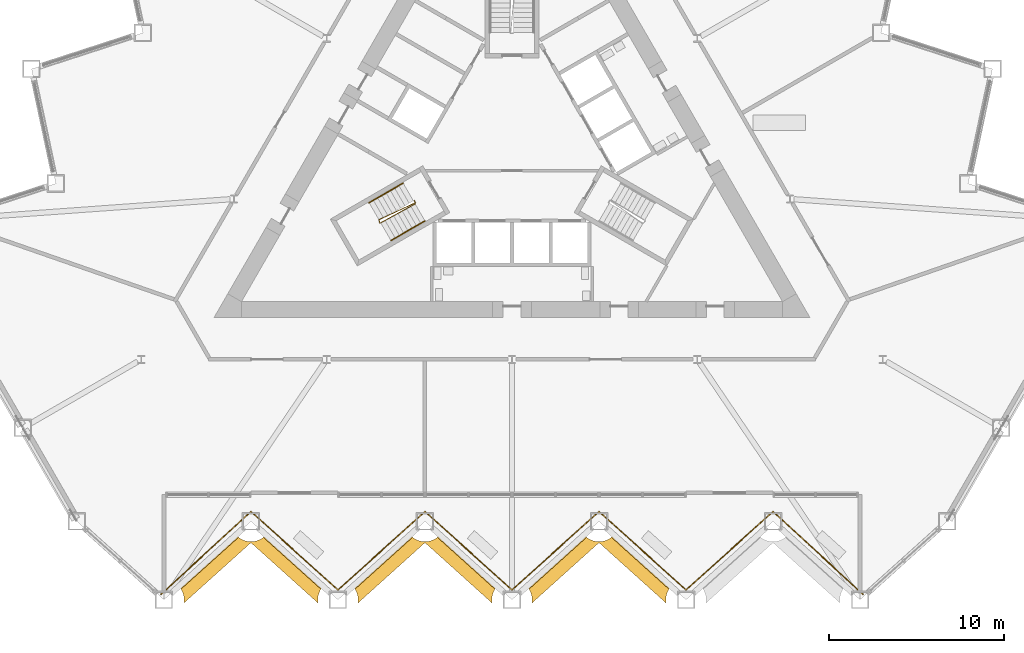
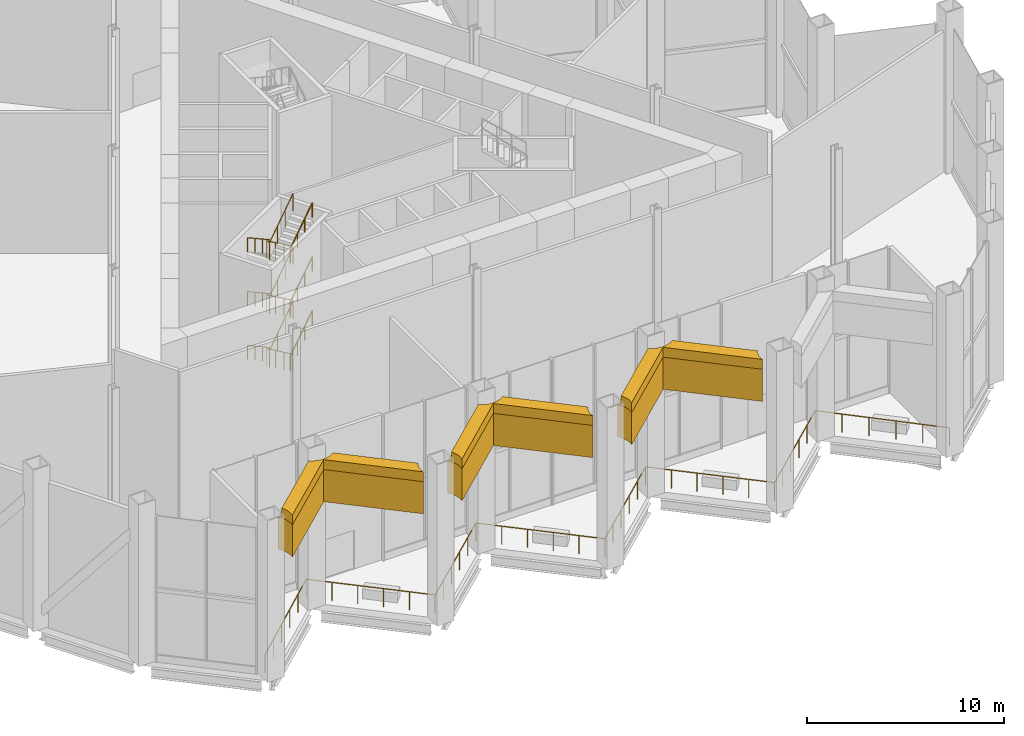
# One storey, part 14 of 17: 8 railings, 6 coverings.
"""IFC4 building model written with IfcOpenShell, lengths in metres."""

import ifcopenshell
import ifcopenshell.guid

model = None  # the IFC model being written
_history = None  # IfcOwnerHistory: only IFC2X3 demands one
_inside = {}  # id of a spatial element -> (the spatial element, [elements in it])
_under = {}  # id of a project, library or spatial element -> (it, [spatial elements below it])
_declared = {}  # id of a project -> (the project, [libraries it declares])
_typed = {}  # id of a type object -> (the type object, [elements of that type])
_made_of = {}  # id of a material, layer set ... -> (it, [elements and type objects made of it])


def new_model(schema):
    """Start an empty IFC model of exactly this schema.

    Asked for "IFC4X3", IfcOpenShell would pick the latest addendum, in which some entities
    have other attributes; the version numbers below select the first issue.
    IFC2X3 requires an IfcOwnerHistory on every rooted entity: one is made here for all.
    """
    global model, _history
    if schema == "IFC4X3":
        model = ifcopenshell.file(schema_version=(4, 3, 0, 0))
    else:
        model = ifcopenshell.file(schema=schema)
    _inside.clear()
    _under.clear()
    _declared.clear()
    _typed.clear()
    _made_of.clear()
    _history = None
    if model.schema == "IFC2X3":
        org = make("IfcOrganization", Name="unknown")
        user = make(
            "IfcPersonAndOrganization",
            ThePerson=make("IfcPerson", FamilyName="unknown"),
            TheOrganization=org,
        )
        app = make(
            "IfcApplication",
            ApplicationDeveloper=org,
            Version="unknown",
            ApplicationFullName="unknown",
            ApplicationIdentifier="unknown",
        )
        _history = make(
            "IfcOwnerHistory",
            OwningUser=user,
            OwningApplication=app,
            ChangeAction="ADDED",
            CreationDate=0,
        )
    return model


def make(cls, **values):
    """One entity of the class cls with the attributes given. An attribute that is None is left unset."""
    return model.create_entity(
        cls, **{name: value for name, value in values.items() if value is not None}
    )


def rooted(cls, **values):
    """An entity with a GlobalId (a new one), such as an element, a storey or a relation."""
    return make(cls, GlobalId=ifcopenshell.guid.new(), OwnerHistory=_history, **values)


def si_unit(unit_type, name, prefix=None):
    """IfcSIUnit, for example si_unit("LENGTHUNIT", "METRE", prefix="MILLI")."""
    return make("IfcSIUnit", UnitType=unit_type, Prefix=prefix, Name=name)


def assignment(units):
    """IfcUnitAssignment: the units of a project."""
    return None if units is None else make("IfcUnitAssignment", Units=units)


def point(xyz):
    """IfcCartesianPoint."""
    return None if xyz is None else make("IfcCartesianPoint", Coordinates=xyz)


def direction(xyz):
    """IfcDirection."""
    return None if xyz is None else make("IfcDirection", DirectionRatios=xyz)


def frame(location, z_axis=None, x_axis=None):
    """IfcAxis2Placement3D, a coordinate frame: its origin and axes. An axis left out is left unset."""
    return make(
        "IfcAxis2Placement3D",
        Location=point(location),
        Axis=direction(z_axis),
        RefDirection=direction(x_axis),
    )


def frame_2d(location, x_axis=None):
    """IfcAxis2Placement2D, a coordinate frame in the plane: its origin and x axis."""
    return make(
        "IfcAxis2Placement2D", Location=point(location), RefDirection=direction(x_axis)
    )


def origin():
    """The frame at (0, 0, 0) with its axes left unset."""
    return frame((0.0, 0.0, 0.0))


def origin_2d():
    """The frame at (0, 0) in the plane with its x axis left unset."""
    return frame_2d((0.0, 0.0))


def place(relative_to, where):
    """IfcLocalPlacement: puts the frame where relative to a parent placement (None: the world)."""
    return make(
        "IfcLocalPlacement", PlacementRelTo=relative_to, RelativePlacement=where
    )


def context(
    kind, dimensions, precision=None, world=None, true_north=None, identifier=None
):
    """IfcGeometricRepresentationContext, for example the 3D "Model" context."""
    return make(
        "IfcGeometricRepresentationContext",
        ContextIdentifier=identifier,
        ContextType=kind,
        CoordinateSpaceDimension=dimensions,
        Precision=precision,
        WorldCoordinateSystem=world,
        TrueNorth=true_north,
    )


def subcontext(parent, identifier, kind, view, scale=None):
    """IfcGeometricRepresentationSubContext, for example "Body" below "Model"."""
    return make(
        "IfcGeometricRepresentationSubContext",
        ContextIdentifier=identifier,
        ContextType=kind,
        ParentContext=parent,
        TargetScale=scale,
        TargetView=view,
    )


def project(units=None, contexts=None):
    """IfcProject with its units and contexts."""
    return rooted(
        "IfcProject",
        Name="project",
        RepresentationContexts=contexts,
        UnitsInContext=assignment(units),
    )


def spatial(cls, under=None, at=None, **own):
    """A site, building, storey or space (cls), placed at a placement, below another one or the project."""
    s = rooted(cls, ObjectPlacement=at, **own)
    if under is not None:
        _under.setdefault(under.id(), (under, []))[1].append(s)
    return s


def polyline(points):
    """IfcPolyline through the points."""
    return make("IfcPolyline", Points=[point(p) for p in points])


def profile(cls, at=None, kind="AREA", **sizes):
    """A parametric profile (cls). Its sizes go by their IFC names, for example OverallWidth=200.0."""
    return make(cls, ProfileType=kind, Position=at, **sizes)


def circle(**sizes):
    """IfcCircleProfileDef."""
    return profile("IfcCircleProfileDef", **sizes)


def outline(outer, holes=None, kind="AREA"):
    """IfcArbitraryClosedProfileDef: a profile drawn as a closed curve; with holes, ...WithVoids."""
    if holes is None:
        return make("IfcArbitraryClosedProfileDef", ProfileType=kind, OuterCurve=outer)
    return make(
        "IfcArbitraryProfileDefWithVoids",
        ProfileType=kind,
        OuterCurve=outer,
        InnerCurves=holes,
    )


def extrude(swept, where, along, depth):
    """IfcExtrudedAreaSolid: the profile swept, set in the frame where, extruded along a direction by depth."""
    return make(
        "IfcExtrudedAreaSolid",
        SweptArea=swept,
        Position=where,
        ExtrudedDirection=direction(along),
        Depth=depth,
    )


def shape(context_of_items, identifier, shape_type, items):
    """IfcShapeRepresentation: the items that make up one representation, for example the "Body"."""
    return make(
        "IfcShapeRepresentation",
        ContextOfItems=context_of_items,
        RepresentationIdentifier=identifier,
        RepresentationType=shape_type,
        Items=items,
    )


def material(Name=None, Category=None):
    """IfcMaterial."""
    return make("IfcMaterial", Name=Name, Category=Category)


def layer(
    of_material, thickness, ventilated=None, Name=None, Category=None, Priority=None
):
    """IfcMaterialLayer: one layer of a wall or slab, of a material (None: an air gap)."""
    return make(
        "IfcMaterialLayer",
        Material=of_material,
        LayerThickness=thickness,
        IsVentilated=ventilated,
        Name=Name,
        Category=Category,
        Priority=Priority,
    )


def layer_set(layers, Name=None):
    """IfcMaterialLayerSet."""
    return make("IfcMaterialLayerSet", MaterialLayers=layers, LayerSetName=Name)


def made_of(thing, what):
    """Note that an element or type object is made of a material, layer set ...; save() writes the relation."""
    if what is not None:
        _made_of.setdefault(what.id(), (what, []))[1].append(thing)
    return thing


def type_object(cls, material=None, **own):
    """A type object (cls), such as IfcWallType, which elements share."""
    return made_of(rooted(cls, **own), material)


def element(
    cls,
    number,
    at=None,
    inside=None,
    cuts=None,
    type_object=None,
    material=None,
    context=None,
    identifier="Body",
    shape_type=None,
    held_by="IfcProductDefinitionShape",
    body=None,
    shapes=None,
    **own,
):
    """One element of the class cls, such as IfcWall. Its Tag is "e" and its number.

    at: its placement. inside: the storey or other place that contains it. cuts: it is an
    opening in that element (IfcRelVoidsElement). A single representation is given by context,
    identifier, shape_type and body (its items); several are given by shapes. held_by: the class
    of the entity that holds the representations. save() writes the other relations.
    """
    e = rooted(cls, Tag="e%d" % number, ObjectPlacement=at, **own)
    if body is not None:
        shapes = [shape(context, identifier, shape_type, body)]
    if shapes is not None:
        e.Representation = make(held_by, Representations=shapes)
    if inside is not None:
        _inside.setdefault(inside.id(), (inside, []))[1].append(e)
    if cuts is not None:
        rooted(
            "IfcRelVoidsElement", RelatingBuildingElement=cuts, RelatedOpeningElement=e
        )
    if type_object is not None:
        _typed.setdefault(type_object.id(), (type_object, []))[1].append(e)
    return made_of(e, material)


def aggregate(whole, parts):
    """IfcRelAggregates: a whole, such as a stair, and the parts it consists of."""
    return rooted("IfcRelAggregates", RelatingObject=whole, RelatedObjects=parts)


def save(model, path):
    """Write the relations noted so far, then the file.

    IfcRelAggregates (storeys below a building ...), IfcRelContainedInSpatialStructure (elements
    in a storey), IfcRelDefinesByType, IfcRelAssociatesMaterial and IfcRelDeclares: one each for
    every whole, place, type object, material and project.
    """
    for whole, parts in _under.values():
        aggregate(whole, parts)
    for where, things in _inside.values():
        rooted(
            "IfcRelContainedInSpatialStructure",
            RelatedElements=things,
            RelatingStructure=where,
        )
    for kind, things in _typed.values():
        rooted("IfcRelDefinesByType", RelatedObjects=things, RelatingType=kind)
    for what, things in _made_of.values():
        rooted("IfcRelAssociatesMaterial", RelatedObjects=things, RelatingMaterial=what)
    for by, libraries in _declared.values():
        rooted("IfcRelDeclares", RelatingContext=by, RelatedDefinitions=libraries)
    model.write(path)


model = new_model("IFC4")

# Units and contexts
model_context = context("Model", 3, precision=1e-05, world=origin(), true_north=direction((0.0, 1.0)))
body_context = subcontext(model_context, "Body", "Model", "MODEL_VIEW")
ifc_project = project(units=[si_unit("LENGTHUNIT", "METRE"), si_unit("AREAUNIT", "SQUARE_METRE"), si_unit("VOLUMEUNIT", "CUBIC_METRE"), si_unit("PLANEANGLEUNIT", "RADIAN"), si_unit("MASSUNIT", "GRAM", prefix="KILO")], contexts=[model_context])

# Site, building, storey
site_placement = place(None, origin())
site = spatial("IfcSite", under=ifc_project, at=site_placement, CompositionType="ELEMENT")
building_placement = place(site_placement, origin())
building = spatial("IfcBuilding", under=site, at=building_placement, Name="Cormorant Prow Tower", CompositionType="ELEMENT")
storey_placement = place(building_placement, frame((0.0, 0.0, 84.60009765625)))
storey = spatial("IfcBuildingStorey", under=building, at=storey_placement, Name="L18", CompositionType="ELEMENT", Elevation=84.60009765625)

# Railings
ifc_material_1 = material(Name="Stainless steel", Category="steel")
railing_type_1 = type_object("IfcRailingType", Name="Stair guard 1100", PredefinedType="GUARDRAIL", material=ifc_material_1)
railing_1_placement = place(storey_placement, frame((-5.585205078125, -3.137939453125, 0.0)))
element("IfcRailing", 1, at=railing_1_placement, inside=storey, type_object=railing_type_1, Name="L18 ST1 stair guard 1", PredefinedType="GUARDRAIL", context=body_context, shape_type="SweptSolid", body=[
    extrude(circle(Radius=0.02392578125, at=origin_2d()), frame((0.0, 0.0, 1.076171875), z_axis=(0.501036270542, -0.865426285481, 0.0), x_axis=(0.865426285481, 0.501036270542, 0.0)), (0.0, 0.0, 1.0), 0.150146484375),
    extrude(circle(Radius=0.02392578125, at=origin_2d()), frame((0.0751953125, -0.1298828125, 1.076171875), z_axis=(-0.733711829474, -0.342307136193, 0.586935069494), x_axis=(0.422792438952, -0.906226546491, 0.0)), (0.0, 0.0, 1.0), 2.83935546875),
    extrude(circle(Radius=0.02392578125, at=origin_2d()), frame((-2.008056640625, -1.101806640625, 2.74267578125), z_axis=(0.275034262293, -0.961434425515, 0.0), x_axis=(0.961434425515, 0.275034262293, 0.0)), (0.0, 0.0, 1.0), 0.2060546875),
    extrude(circle(Radius=0.02392578125, at=origin_2d()), frame((-1.951416015625, -1.2998046875, 2.74267578125), z_axis=(0.708945260141, 0.388859836343, 0.588374579502), x_axis=(-0.480911908544, 0.87676891837, 0.0)), (0.0, 0.0, 1.0), 2.832763671875),
    extrude(circle(Radius=0.02392578125, at=origin_2d()), frame((0.056884765625, -0.1982421875, 4.4091796875), z_axis=(0.258736085224, 0.965948051503, 0.0), x_axis=(-0.965948051503, 0.258736085224, 0.0)), (0.0, 0.0, 1.0), 0.07080078125),
    extrude(circle(Radius=0.02392578125, at=origin_2d()), frame((0.0751953125, -0.1298828125, 4.4091796875), z_axis=(-0.733674800789, -0.342289860769, 0.586991429156), x_axis=(0.422792438952, -0.906226546491, 0.0)), (0.0, 0.0, 1.0), 2.83935546875),
    extrude(circle(Radius=0.02392578125, at=origin_2d()), frame((-2.008056640625, -1.101806640625, 6.076171875), z_axis=(0.275034262293, -0.961434425515, 0.0), x_axis=(0.961434425515, 0.275034262293, 0.0)), (0.0, 0.0, 1.0), 0.2060546875),
    extrude(circle(Radius=0.02392578125, at=origin_2d()), frame((-1.951416015625, -1.2998046875, 6.076171875), z_axis=(0.708981209556, 0.388879554767, 0.588318227137), x_axis=(-0.480911908544, 0.87676891837, 0.0)), (0.0, 0.0, 1.0), 2.832763671875),
    extrude(circle(Radius=0.02392578125, at=origin_2d()), frame((0.056884765625, -0.1982421875, 7.74267578125), z_axis=(0.258736085224, 0.965948051503, 0.0), x_axis=(-0.965948051503, 0.258736085224, 0.0)), (0.0, 0.0, 1.0), 0.07080078125),
    extrude(circle(Radius=0.02392578125, at=origin_2d()), frame((0.0751953125, -0.1298828125, 7.74267578125), z_axis=(-0.733674800789, -0.342289860769, 0.586991429156), x_axis=(0.422792438952, -0.906226546491, 0.0)), (0.0, 0.0, 1.0), 2.83935546875),
    extrude(circle(Radius=0.02392578125, at=origin_2d()), frame((-2.008056640625, -1.101806640625, 9.4091796875), z_axis=(0.275034262293, -0.961434425515, 0.0), x_axis=(0.961434425515, 0.275034262293, 0.0)), (0.0, 0.0, 1.0), 0.2060546875),
    extrude(circle(Radius=0.02392578125, at=origin_2d()), frame((-1.951416015625, -1.2998046875, 9.4091796875), z_axis=(0.708945260141, 0.388859836343, 0.588374579502), x_axis=(-0.480911908544, 0.87676891837, 0.0)), (0.0, 0.0, 1.0), 2.832763671875),
    extrude(circle(Radius=0.02099609375, at=origin_2d()), origin(), (0.0, 0.0, 1.0), 1.052001953125),
    extrude(circle(Radius=0.02099609375, at=origin_2d()), frame((0.0751953125, -0.1298828125, 0.0)), (0.0, 0.0, 1.0), 1.052001953125),
    extrude(circle(Radius=0.02099609375, at=origin_2d()), frame((-0.619140625, -0.453857421875, 0.555419921875)), (0.0, 0.0, 1.0), 1.052001953125),
    extrude(circle(Radius=0.02099609375, at=origin_2d()), frame((-1.313720703125, -0.77783203125, 1.111083984375)), (0.0, 0.0, 1.0), 1.052001953125),
    extrude(circle(Radius=0.02099609375, at=origin_2d()), frame((-2.008056640625, -1.101806640625, 1.66650390625)), (0.0, 0.0, 1.0), 1.052001953125),
    extrude(circle(Radius=0.02099609375, at=origin_2d()), frame((-1.951416015625, -1.2998046875, 1.66650390625)), (0.0, 0.0, 1.0), 1.052001953125),
    extrude(circle(Radius=0.02099609375, at=origin_2d()), frame((-1.281982421875, -0.9326171875, 2.22216796875)), (0.0, 0.0, 1.0), 1.052001953125),
    extrude(circle(Radius=0.02099609375, at=origin_2d()), frame((-0.612548828125, -0.5654296875, 2.777587890625)), (0.0, 0.0, 1.0), 1.052001953125),
    extrude(circle(Radius=0.02099609375, at=origin_2d()), frame((0.056884765625, -0.1982421875, 3.333251953125)), (0.0, 0.0, 1.0), 1.052001953125),
    extrude(circle(Radius=0.02099609375, at=origin_2d()), frame((0.0751953125, -0.1298828125, 3.333251953125)), (0.0, 0.0, 1.0), 1.052001953125),
    extrude(circle(Radius=0.02099609375, at=origin_2d()), frame((-0.619140625, -0.453857421875, 3.888916015625)), (0.0, 0.0, 1.0), 1.052001953125),
    extrude(circle(Radius=0.02099609375, at=origin_2d()), frame((-1.313720703125, -0.77783203125, 4.4443359375)), (0.0, 0.0, 1.0), 1.052001953125),
    extrude(circle(Radius=0.02099609375, at=origin_2d()), frame((-2.008056640625, -1.101806640625, 5.0)), (0.0, 0.0, 1.0), 1.052001953125),
    extrude(circle(Radius=0.02099609375, at=origin_2d()), frame((-1.951416015625, -1.2998046875, 5.0)), (0.0, 0.0, 1.0), 1.052001953125),
    extrude(circle(Radius=0.02099609375, at=origin_2d()), frame((-1.281982421875, -0.9326171875, 5.555419921875)), (0.0, 0.0, 1.0), 1.052001953125),
    extrude(circle(Radius=0.02099609375, at=origin_2d()), frame((-0.612548828125, -0.5654296875, 6.111083984375)), (0.0, 0.0, 1.0), 1.052001953125),
    extrude(circle(Radius=0.02099609375, at=origin_2d()), frame((0.056884765625, -0.1982421875, 6.66650390625)), (0.0, 0.0, 1.0), 1.052001953125),
    extrude(circle(Radius=0.02099609375, at=origin_2d()), frame((0.0751953125, -0.1298828125, 6.66650390625)), (0.0, 0.0, 1.0), 1.052001953125),
    extrude(circle(Radius=0.02099609375, at=origin_2d()), frame((-0.619140625, -0.453857421875, 7.22216796875)), (0.0, 0.0, 1.0), 1.052001953125),
    extrude(circle(Radius=0.02099609375, at=origin_2d()), frame((-1.313720703125, -0.77783203125, 7.777587890625)), (0.0, 0.0, 1.0), 1.052001953125),
    extrude(circle(Radius=0.02099609375, at=origin_2d()), frame((-2.008056640625, -1.101806640625, 8.333251953125)), (0.0, 0.0, 1.0), 1.052001953125),
    extrude(circle(Radius=0.02099609375, at=origin_2d()), frame((-1.951416015625, -1.2998046875, 8.333251953125)), (0.0, 0.0, 1.0), 1.052001953125),
    extrude(circle(Radius=0.02099609375, at=origin_2d()), frame((-1.281982421875, -0.9326171875, 8.888916015625)), (0.0, 0.0, 1.0), 1.052001953125),
    extrude(circle(Radius=0.02099609375, at=origin_2d()), frame((-0.612548828125, -0.5654296875, 9.4443359375)), (0.0, 0.0, 1.0), 1.052001953125),
    extrude(circle(Radius=0.02099609375, at=origin_2d()), frame((0.056884765625, -0.1982421875, 10.0)), (0.0, 0.0, 1.0), 1.052001953125),
])
ifc_material_2 = material(Name="Stainless steel", Category="steel")
railing_type_2 = type_object("IfcRailingType", Name="Stair handrail 900", PredefinedType="HANDRAIL", material=ifc_material_2)
railing_2_placement = place(storey_placement, frame((-6.212890625, -2.150634765625, 0.18505859375)))
element("IfcRailing", 2, at=railing_2_placement, inside=storey, type_object=railing_type_2, Name="L18 ST1 stair handrail 1", PredefinedType="HANDRAIL", context=body_context, shape_type="SweptSolid", body=[
    extrude(circle(Radius=0.02392578125, at=origin_2d()), frame((0.0, 0.0, 0.8759765625), z_axis=(-0.722363311002, -0.416999812178, 0.551636115172), x_axis=(0.49994888933, -0.866054910533, 0.0)), (0.0, 0.0, 1.0), 2.685546875),
    extrude(circle(Radius=0.02099609375, at=origin_2d()), origin(), (0.0, 0.0, 1.0), 0.851806640625),
    extrude(circle(Radius=0.02099609375, at=origin_2d()), frame((-0.646728515625, -0.373291015625, 0.493896484375)), (0.0, 0.0, 1.0), 0.851806640625),
    extrude(circle(Radius=0.02099609375, at=origin_2d()), frame((-1.293212890625, -0.74658203125, 0.987548828125)), (0.0, 0.0, 1.0), 0.851806640625),
    extrude(circle(Radius=0.02099609375, at=origin_2d()), frame((-1.93994140625, -1.119873046875, 1.4814453125)), (0.0, 0.0, 1.0), 0.851806640625),
])
railing_3_placement = place(storey_placement, frame((-6.90869140625, -5.42529296875, 1.851806640625)))
element("IfcRailing", 3, at=railing_3_placement, inside=storey, type_object=railing_type_2, Name="L18 ST1 stair handrail 2", PredefinedType="HANDRAIL", context=body_context, shape_type="SweptSolid", body=[
    extrude(circle(Radius=0.02392578125, at=origin_2d()), frame((0.0, 0.0, 0.8759765625), z_axis=(0.72229244732, 0.417102296828, 0.551651424838), x_axis=(-0.500077830873, 0.865980463445, 0.0)), (0.0, 0.0, 1.0), 2.685546875),
    extrude(circle(Radius=0.02099609375, at=origin_2d()), origin(), (0.0, 0.0, 1.0), 0.851806640625),
    extrude(circle(Radius=0.02099609375, at=origin_2d()), frame((0.646484375, 0.373291015625, 0.493896484375)), (0.0, 0.0, 1.0), 0.851806640625),
    extrude(circle(Radius=0.02099609375, at=origin_2d()), frame((1.293212890625, 0.746826171875, 0.987548828125)), (0.0, 0.0, 1.0), 0.851806640625),
    extrude(circle(Radius=0.02099609375, at=origin_2d()), frame((1.939697265625, 1.1201171875, 1.4814453125)), (0.0, 0.0, 1.0), 0.851806640625),
])
railing_4_placement = place(storey_placement, frame((-6.212890625, -2.150634765625, 3.518310546875)))
element("IfcRailing", 4, at=railing_4_placement, inside=storey, type_object=railing_type_2, Name="L18 ST1 stair handrail 3", PredefinedType="HANDRAIL", context=body_context, shape_type="SweptSolid", body=[
    extrude(circle(Radius=0.02392578125, at=origin_2d()), frame((0.0, 0.0, 0.8759765625), z_axis=(-0.72232708515, -0.416978900023, 0.551699355622), x_axis=(0.49994888933, -0.866054910533, 0.0)), (0.0, 0.0, 1.0), 2.685791015625),
    extrude(circle(Radius=0.02099609375, at=origin_2d()), origin(), (0.0, 0.0, 1.0), 0.851806640625),
    extrude(circle(Radius=0.02099609375, at=origin_2d()), frame((-0.646728515625, -0.373291015625, 0.493896484375)), (0.0, 0.0, 1.0), 0.851806640625),
    extrude(circle(Radius=0.02099609375, at=origin_2d()), frame((-1.293212890625, -0.74658203125, 0.98779296875)), (0.0, 0.0, 1.0), 0.851806640625),
    extrude(circle(Radius=0.02099609375, at=origin_2d()), frame((-1.93994140625, -1.119873046875, 1.481689453125)), (0.0, 0.0, 1.0), 0.851806640625),
])
railing_5_placement = place(storey_placement, frame((-6.90869140625, -5.42529296875, 5.18505859375)))
element("IfcRailing", 5, at=railing_5_placement, inside=storey, type_object=railing_type_2, Name="L18 ST1 stair handrail 4", PredefinedType="HANDRAIL", context=body_context, shape_type="SweptSolid", body=[
    extrude(circle(Radius=0.02392578125, at=origin_2d()), frame((0.0, 0.0, 0.8759765625), z_axis=(0.72229244732, 0.417102296828, 0.551651424838), x_axis=(-0.500077830873, 0.865980463445, 0.0)), (0.0, 0.0, 1.0), 2.685546875),
    extrude(circle(Radius=0.02099609375, at=origin_2d()), origin(), (0.0, 0.0, 1.0), 0.851806640625),
    extrude(circle(Radius=0.02099609375, at=origin_2d()), frame((0.646484375, 0.373291015625, 0.493896484375)), (0.0, 0.0, 1.0), 0.851806640625),
    extrude(circle(Radius=0.02099609375, at=origin_2d()), frame((1.293212890625, 0.746826171875, 0.987548828125)), (0.0, 0.0, 1.0), 0.851806640625),
    extrude(circle(Radius=0.02099609375, at=origin_2d()), frame((1.939697265625, 1.1201171875, 1.4814453125)), (0.0, 0.0, 1.0), 0.851806640625),
])
railing_6_placement = place(storey_placement, frame((-6.212890625, -2.150634765625, 6.851806640625)))
element("IfcRailing", 6, at=railing_6_placement, inside=storey, type_object=railing_type_2, Name="L18 ST1 stair handrail 5", PredefinedType="HANDRAIL", context=body_context, shape_type="SweptSolid", body=[
    extrude(circle(Radius=0.02392578125, at=origin_2d()), frame((0.0, 0.0, 0.8759765625), z_axis=(-0.722363311002, -0.416999812178, 0.551636115172), x_axis=(0.49994888933, -0.866054910533, 0.0)), (0.0, 0.0, 1.0), 2.685546875),
    extrude(circle(Radius=0.02099609375, at=origin_2d()), origin(), (0.0, 0.0, 1.0), 0.851806640625),
    extrude(circle(Radius=0.02099609375, at=origin_2d()), frame((-0.646728515625, -0.373291015625, 0.493896484375)), (0.0, 0.0, 1.0), 0.851806640625),
    extrude(circle(Radius=0.02099609375, at=origin_2d()), frame((-1.293212890625, -0.74658203125, 0.987548828125)), (0.0, 0.0, 1.0), 0.851806640625),
    extrude(circle(Radius=0.02099609375, at=origin_2d()), frame((-1.93994140625, -1.119873046875, 1.4814453125)), (0.0, 0.0, 1.0), 0.851806640625),
])
railing_7_placement = place(storey_placement, frame((-6.90869140625, -5.42529296875, 8.518310546875)))
element("IfcRailing", 7, at=railing_7_placement, inside=storey, type_object=railing_type_2, Name="L18 ST1 stair handrail 6", PredefinedType="HANDRAIL", context=body_context, shape_type="SweptSolid", body=[
    extrude(circle(Radius=0.02392578125, at=origin_2d()), frame((0.0, 0.0, 0.8759765625), z_axis=(0.722256223011, 0.417081378373, 0.551714665507), x_axis=(-0.500077830873, 0.865980463445, 0.0)), (0.0, 0.0, 1.0), 2.685546875),
    extrude(circle(Radius=0.02099609375, at=origin_2d()), origin(), (0.0, 0.0, 1.0), 0.851806640625),
    extrude(circle(Radius=0.02099609375, at=origin_2d()), frame((0.646484375, 0.373291015625, 0.493896484375)), (0.0, 0.0, 1.0), 0.851806640625),
    extrude(circle(Radius=0.02099609375, at=origin_2d()), frame((1.293212890625, 0.746826171875, 0.98779296875)), (0.0, 0.0, 1.0), 0.851806640625),
    extrude(circle(Radius=0.02099609375, at=origin_2d()), frame((1.939697265625, 1.1201171875, 1.481689453125)), (0.0, 0.0, 1.0), 0.851806640625),
])
ifc_material_3 = material(Name="Aluminium 6063-T6", Category="aluminium")
railing_type_3 = type_object("IfcRailingType", Name="Terrace guard 1150", PredefinedType="GUARDRAIL", material=ifc_material_3)
railing_8_placement = place(storey_placement, frame((-20.035400390625, -25.619384765625, 0.0)))
element("IfcRailing", 8, at=railing_8_placement, inside=storey, type_object=railing_type_3, Name="Terrace guard S", PredefinedType="GUARDRAIL", context=body_context, shape_type="SweptSolid", body=[
    extrude(circle(Radius=0.02392578125, at=origin_2d()), frame((0.0, 0.0, 1.1259765625), z_axis=(0.736046731686, 0.676930726717, 0.0), x_axis=(-0.676930726717, 0.736046731686, 0.0)), (0.0, 0.0, 1.0), 6.9794921875),
    extrude(circle(Radius=0.02392578125, at=origin_2d()), frame((5.13720703125, 4.724609375, 1.1259765625), z_axis=(0.743146981279, -0.66912821209, 0.0), x_axis=(0.66912821209, 0.743146981279, 0.0)), (0.0, 0.0, 1.0), 6.682373046875),
    extrude(circle(Radius=0.02392578125, at=origin_2d()), frame((10.103271484375, 0.253173828125, 1.1259765625), z_axis=(0.743146981279, 0.66912821209, 0.0), x_axis=(-0.66912821209, 0.743146981279, 0.0)), (0.0, 0.0, 1.0), 6.682373046875),
    extrude(circle(Radius=0.02392578125, at=origin_2d()), frame((15.0693359375, 4.724609375, 1.1259765625), z_axis=(0.743146981279, -0.66912821209, 0.0), x_axis=(0.66912821209, 0.743146981279, 0.0)), (0.0, 0.0, 1.0), 6.682373046875),
    extrude(circle(Radius=0.02392578125, at=origin_2d()), frame((20.035400390625, 0.253173828125, 1.1259765625), z_axis=(0.743146981279, 0.66912821209, 0.0), x_axis=(-0.66912821209, 0.743146981279, 0.0)), (0.0, 0.0, 1.0), 6.682373046875),
    extrude(circle(Radius=0.02392578125, at=origin_2d()), frame((25.00146484375, 4.724609375, 1.1259765625), z_axis=(0.743146981279, -0.66912821209, 0.0), x_axis=(0.66912821209, 0.743146981279, 0.0)), (0.0, 0.0, 1.0), 6.682373046875),
    extrude(circle(Radius=0.02392578125, at=origin_2d()), frame((29.967529296875, 0.253173828125, 1.1259765625), z_axis=(0.743146981279, 0.66912821209, 0.0), x_axis=(-0.66912821209, 0.743146981279, 0.0)), (0.0, 0.0, 1.0), 6.682373046875),
    extrude(circle(Radius=0.02392578125, at=origin_2d()), frame((34.93359375, 4.724609375, 1.1259765625), z_axis=(0.736046731686, -0.676930726717, 0.0), x_axis=(0.676930726717, 0.736046731686, 0.0)), (0.0, 0.0, 1.0), 6.9794921875),
    extrude(circle(Radius=0.02099609375, at=origin_2d()), origin(), (0.0, 0.0, 1.0), 1.101806640625),
    extrude(circle(Radius=0.02099609375, at=origin_2d()), frame((1.02734375, 0.94482421875, 0.0)), (0.0, 0.0, 1.0), 1.101806640625),
    extrude(circle(Radius=0.02099609375, at=origin_2d()), frame((2.054931640625, 1.889892578125, 0.0)), (0.0, 0.0, 1.0), 1.101806640625),
    extrude(circle(Radius=0.02099609375, at=origin_2d()), frame((3.082275390625, 2.834716796875, 0.0)), (0.0, 0.0, 1.0), 1.101806640625),
    extrude(circle(Radius=0.02099609375, at=origin_2d()), frame((4.10986328125, 3.77978515625, 0.0)), (0.0, 0.0, 1.0), 1.101806640625),
    extrude(circle(Radius=0.02099609375, at=origin_2d()), frame((5.13720703125, 4.724609375, 0.0)), (0.0, 0.0, 1.0), 1.101806640625),
    extrude(circle(Radius=0.02099609375, at=origin_2d()), frame((6.13037109375, 3.830322265625, 0.0)), (0.0, 0.0, 1.0), 1.101806640625),
    extrude(circle(Radius=0.02099609375, at=origin_2d()), frame((7.12353515625, 2.93603515625, 0.0)), (0.0, 0.0, 1.0), 1.101806640625),
    extrude(circle(Radius=0.02099609375, at=origin_2d()), frame((8.116943359375, 2.041748046875, 0.0)), (0.0, 0.0, 1.0), 1.101806640625),
    extrude(circle(Radius=0.02099609375, at=origin_2d()), frame((9.110107421875, 1.1474609375, 0.0)), (0.0, 0.0, 1.0), 1.101806640625),
    extrude(circle(Radius=0.02099609375, at=origin_2d()), frame((10.103271484375, 0.253173828125, 0.0)), (0.0, 0.0, 1.0), 1.101806640625),
    extrude(circle(Radius=0.02099609375, at=origin_2d()), frame((11.096435546875, 1.1474609375, 0.0)), (0.0, 0.0, 1.0), 1.101806640625),
    extrude(circle(Radius=0.02099609375, at=origin_2d()), frame((12.089599609375, 2.041748046875, 0.0)), (0.0, 0.0, 1.0), 1.101806640625),
    extrude(circle(Radius=0.02099609375, at=origin_2d()), frame((13.0830078125, 2.93603515625, 0.0)), (0.0, 0.0, 1.0), 1.101806640625),
    extrude(circle(Radius=0.02099609375, at=origin_2d()), frame((14.076171875, 3.830322265625, 0.0)), (0.0, 0.0, 1.0), 1.101806640625),
    extrude(circle(Radius=0.02099609375, at=origin_2d()), frame((15.0693359375, 4.724609375, 0.0)), (0.0, 0.0, 1.0), 1.101806640625),
    extrude(circle(Radius=0.02099609375, at=origin_2d()), frame((16.0625, 3.830322265625, 0.0)), (0.0, 0.0, 1.0), 1.101806640625),
    extrude(circle(Radius=0.02099609375, at=origin_2d()), frame((17.0556640625, 2.93603515625, 0.0)), (0.0, 0.0, 1.0), 1.101806640625),
    extrude(circle(Radius=0.02099609375, at=origin_2d()), frame((18.049072265625, 2.041748046875, 0.0)), (0.0, 0.0, 1.0), 1.101806640625),
    extrude(circle(Radius=0.02099609375, at=origin_2d()), frame((19.042236328125, 1.1474609375, 0.0)), (0.0, 0.0, 1.0), 1.101806640625),
    extrude(circle(Radius=0.02099609375, at=origin_2d()), frame((20.035400390625, 0.253173828125, 0.0)), (0.0, 0.0, 1.0), 1.101806640625),
    extrude(circle(Radius=0.02099609375, at=origin_2d()), frame((21.028564453125, 1.1474609375, 0.0)), (0.0, 0.0, 1.0), 1.101806640625),
    extrude(circle(Radius=0.02099609375, at=origin_2d()), frame((22.021728515625, 2.041748046875, 0.0)), (0.0, 0.0, 1.0), 1.101806640625),
    extrude(circle(Radius=0.02099609375, at=origin_2d()), frame((23.01513671875, 2.93603515625, 0.0)), (0.0, 0.0, 1.0), 1.101806640625),
    extrude(circle(Radius=0.02099609375, at=origin_2d()), frame((24.00830078125, 3.830322265625, 0.0)), (0.0, 0.0, 1.0), 1.101806640625),
    extrude(circle(Radius=0.02099609375, at=origin_2d()), frame((25.00146484375, 4.724609375, 0.0)), (0.0, 0.0, 1.0), 1.101806640625),
    extrude(circle(Radius=0.02099609375, at=origin_2d()), frame((25.99462890625, 3.830322265625, 0.0)), (0.0, 0.0, 1.0), 1.101806640625),
    extrude(circle(Radius=0.02099609375, at=origin_2d()), frame((26.98779296875, 2.93603515625, 0.0)), (0.0, 0.0, 1.0), 1.101806640625),
    extrude(circle(Radius=0.02099609375, at=origin_2d()), frame((27.981201171875, 2.041748046875, 0.0)), (0.0, 0.0, 1.0), 1.101806640625),
    extrude(circle(Radius=0.02099609375, at=origin_2d()), frame((28.974365234375, 1.1474609375, 0.0)), (0.0, 0.0, 1.0), 1.101806640625),
    extrude(circle(Radius=0.02099609375, at=origin_2d()), frame((29.967529296875, 0.253173828125, 0.0)), (0.0, 0.0, 1.0), 1.101806640625),
    extrude(circle(Radius=0.02099609375, at=origin_2d()), frame((30.960693359375, 1.1474609375, 0.0)), (0.0, 0.0, 1.0), 1.101806640625),
    extrude(circle(Radius=0.02099609375, at=origin_2d()), frame((31.953857421875, 2.041748046875, 0.0)), (0.0, 0.0, 1.0), 1.101806640625),
    extrude(circle(Radius=0.02099609375, at=origin_2d()), frame((32.947265625, 2.93603515625, 0.0)), (0.0, 0.0, 1.0), 1.101806640625),
    extrude(circle(Radius=0.02099609375, at=origin_2d()), frame((33.9404296875, 3.830322265625, 0.0)), (0.0, 0.0, 1.0), 1.101806640625),
    extrude(circle(Radius=0.02099609375, at=origin_2d()), frame((34.93359375, 4.724609375, 0.0)), (0.0, 0.0, 1.0), 1.101806640625),
    extrude(circle(Radius=0.02099609375, at=origin_2d()), frame((35.9609375, 3.77978515625, 0.0)), (0.0, 0.0, 1.0), 1.101806640625),
    extrude(circle(Radius=0.02099609375, at=origin_2d()), frame((36.988525390625, 2.834716796875, 0.0)), (0.0, 0.0, 1.0), 1.101806640625),
    extrude(circle(Radius=0.02099609375, at=origin_2d()), frame((38.015869140625, 1.889892578125, 0.0)), (0.0, 0.0, 1.0), 1.101806640625),
    extrude(circle(Radius=0.02099609375, at=origin_2d()), frame((39.04345703125, 0.94482421875, 0.0)), (0.0, 0.0, 1.0), 1.101806640625),
    extrude(circle(Radius=0.02099609375, at=origin_2d()), frame((40.07080078125, 0.0, 0.0)), (0.0, 0.0, 1.0), 1.101806640625),
])

# Coverings
ifc_material_4 = material(Name="Terracotta", Category="masonry")
ifc_layer = layer(ifc_material_4, 0.89990234375)
ifc_layer_set = layer_set([ifc_layer], Name="Terracotta")
covering_type = type_object("IfcCoveringType", Name="Terrace lintel fascia 900", PredefinedType="CLADDING", material=ifc_layer_set)
covering_1_placement = place(storey_placement, frame((0.0, 0.0, 7.0)))
element("IfcCovering", 9, at=covering_1_placement, inside=storey, type_object=covering_type, Name="Terrace lintel L18", PredefinedType="CLADDING", context=body_context, shape_type="SweptSolid", body=[
    extrude(outline(polyline([(4.112548828125, -22.228515625), (4.15283203125, -22.273193359375), (4.236572265625, -22.348876953125), (4.3271484375, -22.416015625), (4.424072265625, -22.47412109375), (4.52587890625, -22.5224609375), (4.632080078125, -22.560302734375), (4.74169921875, -22.587890625), (4.853271484375, -22.6044921875), (4.966064453125, -22.60986328125), (5.078857421875, -22.6044921875), (5.1904296875, -22.587890625), (5.2998046875, -22.560302734375), (5.40625, -22.5224609375), (5.50830078125, -22.47412109375), (5.60498046875, -22.416015625), (5.695556640625, -22.348876953125), (5.779296875, -22.273193359375), (5.819580078125, -22.228515625), (9.07861328125, -25.162841796875), (9.043212890625, -25.201904296875), (8.975830078125, -25.29248046875), (8.91796875, -25.389404296875), (8.86962890625, -25.4912109375), (8.831787109375, -25.59765625), (8.80419921875, -25.70703125), (8.78759765625, -25.818603515625), (8.781982421875, -25.931396484375), (8.78759765625, -26.044189453125), (8.79931640625, -26.122314453125), (4.966064453125, -22.6708984375), (1.1328125, -26.122314453125), (1.14453125, -26.044189453125), (1.14990234375, -25.931396484375), (1.14453125, -25.818603515625), (1.1279296875, -25.70703125), (1.1005859375, -25.59765625), (1.0625, -25.4912109375), (1.01416015625, -25.389404296875), (0.956298828125, -25.29248046875), (0.888916015625, -25.201904296875), (0.853515625, -25.162841796875), (4.112548828125, -22.228515625)])), origin(), (0.0, 0.0, 1.0), 1.98876953125),
])
covering_2_placement = place(storey_placement, frame((0.0, 0.0, 7.0)))
element("IfcCovering", 10, at=covering_2_placement, inside=storey, type_object=covering_type, Name="Terrace lintel L18 part 3", PredefinedType="CLADDING", context=body_context, shape_type="SweptSolid", body=[
    extrude(outline(polyline([(-5.819580078125, -22.228515625), (-5.779296875, -22.273193359375), (-5.695556640625, -22.348876953125), (-5.60498046875, -22.416015625), (-5.50830078125, -22.47412109375), (-5.40625, -22.5224609375), (-5.2998046875, -22.560302734375), (-5.1904296875, -22.587890625), (-5.078857421875, -22.6044921875), (-4.966064453125, -22.60986328125), (-4.853271484375, -22.6044921875), (-4.74169921875, -22.587890625), (-4.632080078125, -22.560302734375), (-4.52587890625, -22.5224609375), (-4.424072265625, -22.47412109375), (-4.3271484375, -22.416015625), (-4.236572265625, -22.348876953125), (-4.15283203125, -22.273193359375), (-4.112548828125, -22.228515625), (-0.853515625, -25.162841796875), (-0.888916015625, -25.201904296875), (-0.956298828125, -25.29248046875), (-1.01416015625, -25.389404296875), (-1.0625, -25.4912109375), (-1.1005859375, -25.59765625), (-1.1279296875, -25.70703125), (-1.14453125, -25.818603515625), (-1.14990234375, -25.931396484375), (-1.14453125, -26.044189453125), (-1.1328125, -26.122314453125), (-4.966064453125, -22.6708984375), (-8.79931640625, -26.122314453125), (-8.78759765625, -26.044189453125), (-8.781982421875, -25.931396484375), (-8.78759765625, -25.818603515625), (-8.80419921875, -25.70703125), (-8.831787109375, -25.59765625), (-8.86962890625, -25.4912109375), (-8.91796875, -25.389404296875), (-8.975830078125, -25.29248046875), (-9.043212890625, -25.201904296875), (-9.07861328125, -25.162841796875), (-5.819580078125, -22.228515625)])), origin(), (0.0, 0.0, 1.0), 1.98876953125),
])
covering_3_placement = place(storey_placement, frame((0.0, 0.0, 7.0)))
element("IfcCovering", 11, at=covering_3_placement, inside=storey, type_object=covering_type, Name="Terrace lintel L18 part 4", PredefinedType="CLADDING", context=body_context, shape_type="SweptSolid", body=[
    extrude(outline(polyline([(-10.78564453125, -25.162841796875), (-10.821044921875, -25.201904296875), (-10.88818359375, -25.29248046875), (-10.9462890625, -25.389404296875), (-10.99462890625, -25.4912109375), (-11.03271484375, -25.59765625), (-11.06005859375, -25.70703125), (-11.07666015625, -25.818603515625), (-11.08203125, -25.931396484375), (-11.07666015625, -26.044189453125), (-11.06494140625, -26.122314453125), (-14.898193359375, -22.6708984375), (-18.7314453125, -26.122314453125), (-18.7197265625, -26.044189453125), (-18.71435546875, -25.931396484375), (-18.7197265625, -25.818603515625), (-18.736328125, -25.70703125), (-18.763916015625, -25.59765625), (-18.8017578125, -25.4912109375), (-18.85009765625, -25.389404296875), (-18.908203125, -25.29248046875), (-18.975341796875, -25.201904296875), (-19.0107421875, -25.162841796875), (-15.751708984375, -22.228515625), (-15.71142578125, -22.273193359375), (-15.627685546875, -22.348876953125), (-15.537109375, -22.416015625), (-15.440185546875, -22.47412109375), (-15.33837890625, -22.5224609375), (-15.23193359375, -22.560302734375), (-15.12255859375, -22.587890625), (-15.010986328125, -22.6044921875), (-14.898193359375, -22.60986328125), (-14.785400390625, -22.6044921875), (-14.673828125, -22.587890625), (-14.564453125, -22.560302734375), (-14.4580078125, -22.5224609375), (-14.356201171875, -22.47412109375), (-14.25927734375, -22.416015625), (-14.168701171875, -22.348876953125), (-14.0849609375, -22.273193359375), (-14.044677734375, -22.228515625), (-10.78564453125, -25.162841796875)])), origin(), (0.0, 0.0, 1.0), 1.98876953125),
])
covering_4_placement = place(storey_placement, frame((0.0, 0.0, 8.98876953125)))
element("IfcCovering", 12, at=covering_4_placement, inside=storey, type_object=covering_type, Name="Terrace lintel L18 head", PredefinedType="CLADDING", context=body_context, shape_type="SweptSolid", body=[
    extrude(outline(polyline([(-10.9462890625, -25.389404296875), (-10.99462890625, -25.4912109375), (-11.03271484375, -25.59765625), (-11.06005859375, -25.70703125), (-11.07666015625, -25.818603515625), (-11.08203125, -25.931396484375), (-11.07666015625, -26.044189453125), (-11.06494140625, -26.122314453125), (-14.898193359375, -22.6708984375), (-18.7314453125, -26.122314453125), (-18.7197265625, -26.044189453125), (-18.71435546875, -25.931396484375), (-18.7197265625, -25.818603515625), (-18.736328125, -25.70703125), (-18.763916015625, -25.59765625), (-18.8017578125, -25.4912109375), (-18.85009765625, -25.389404296875), (-18.889892578125, -25.322998046875), (-15.605224609375, -22.365478515625), (-15.537109375, -22.416015625), (-15.440185546875, -22.47412109375), (-15.33837890625, -22.5224609375), (-15.23193359375, -22.560302734375), (-15.12255859375, -22.587890625), (-15.010986328125, -22.6044921875), (-14.898193359375, -22.60986328125), (-14.785400390625, -22.6044921875), (-14.673828125, -22.587890625), (-14.564453125, -22.560302734375), (-14.4580078125, -22.5224609375), (-14.356201171875, -22.47412109375), (-14.25927734375, -22.416015625), (-14.191162109375, -22.365478515625), (-10.90673828125, -25.322998046875), (-10.9462890625, -25.389404296875)])), origin(), (0.0, 0.0, 1.0), 0.611083984375),
])
covering_5_placement = place(storey_placement, frame((0.0, 0.0, 8.98876953125)))
element("IfcCovering", 13, at=covering_5_placement, inside=storey, type_object=covering_type, Name="Terrace lintel L18 head part 3", PredefinedType="CLADDING", context=body_context, shape_type="SweptSolid", body=[
    extrude(outline(polyline([(-5.60498046875, -22.416015625), (-5.50830078125, -22.47412109375), (-5.40625, -22.5224609375), (-5.2998046875, -22.560302734375), (-5.1904296875, -22.587890625), (-5.078857421875, -22.6044921875), (-4.966064453125, -22.60986328125), (-4.853271484375, -22.6044921875), (-4.74169921875, -22.587890625), (-4.632080078125, -22.560302734375), (-4.52587890625, -22.5224609375), (-4.424072265625, -22.47412109375), (-4.3271484375, -22.416015625), (-4.259033203125, -22.365478515625), (-0.974609375, -25.322998046875), (-1.01416015625, -25.389404296875), (-1.0625, -25.4912109375), (-1.1005859375, -25.59765625), (-1.1279296875, -25.70703125), (-1.14453125, -25.818603515625), (-1.14990234375, -25.931396484375), (-1.14453125, -26.044189453125), (-1.1328125, -26.122314453125), (-4.966064453125, -22.6708984375), (-8.79931640625, -26.122314453125), (-8.78759765625, -26.044189453125), (-8.781982421875, -25.931396484375), (-8.78759765625, -25.818603515625), (-8.80419921875, -25.70703125), (-8.831787109375, -25.59765625), (-8.86962890625, -25.4912109375), (-8.91796875, -25.389404296875), (-8.95751953125, -25.322998046875), (-5.673095703125, -22.365478515625), (-5.60498046875, -22.416015625)])), origin(), (0.0, 0.0, 1.0), 0.611083984375),
])
covering_6_placement = place(storey_placement, frame((0.0, 0.0, 8.98876953125)))
element("IfcCovering", 14, at=covering_6_placement, inside=storey, type_object=covering_type, Name="Terrace lintel L18 head part 4", PredefinedType="CLADDING", context=body_context, shape_type="SweptSolid", body=[
    extrude(outline(polyline([(4.3271484375, -22.416015625), (4.424072265625, -22.47412109375), (4.52587890625, -22.5224609375), (4.632080078125, -22.560302734375), (4.74169921875, -22.587890625), (4.853271484375, -22.6044921875), (4.966064453125, -22.60986328125), (5.078857421875, -22.6044921875), (5.1904296875, -22.587890625), (5.2998046875, -22.560302734375), (5.40625, -22.5224609375), (5.50830078125, -22.47412109375), (5.60498046875, -22.416015625), (5.673095703125, -22.365478515625), (8.95751953125, -25.322998046875), (8.91796875, -25.389404296875), (8.86962890625, -25.4912109375), (8.831787109375, -25.59765625), (8.80419921875, -25.70703125), (8.78759765625, -25.818603515625), (8.781982421875, -25.931396484375), (8.78759765625, -26.044189453125), (8.79931640625, -26.122314453125), (4.966064453125, -22.6708984375), (1.1328125, -26.122314453125), (1.14453125, -26.044189453125), (1.14990234375, -25.931396484375), (1.14453125, -25.818603515625), (1.1279296875, -25.70703125), (1.1005859375, -25.59765625), (1.0625, -25.4912109375), (1.01416015625, -25.389404296875), (0.974609375, -25.322998046875), (4.259033203125, -22.365478515625), (4.3271484375, -22.416015625)])), origin(), (0.0, 0.0, 1.0), 0.611083984375),
])

save(model, "model.ifc")
